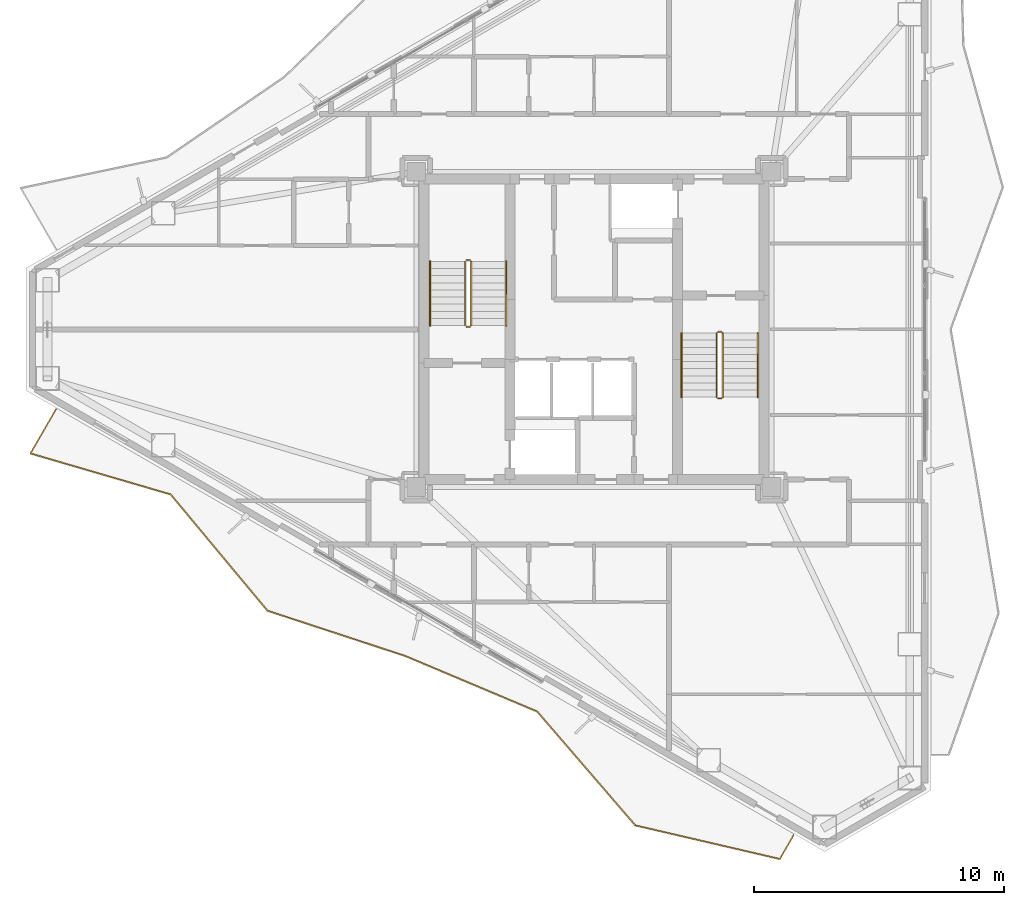
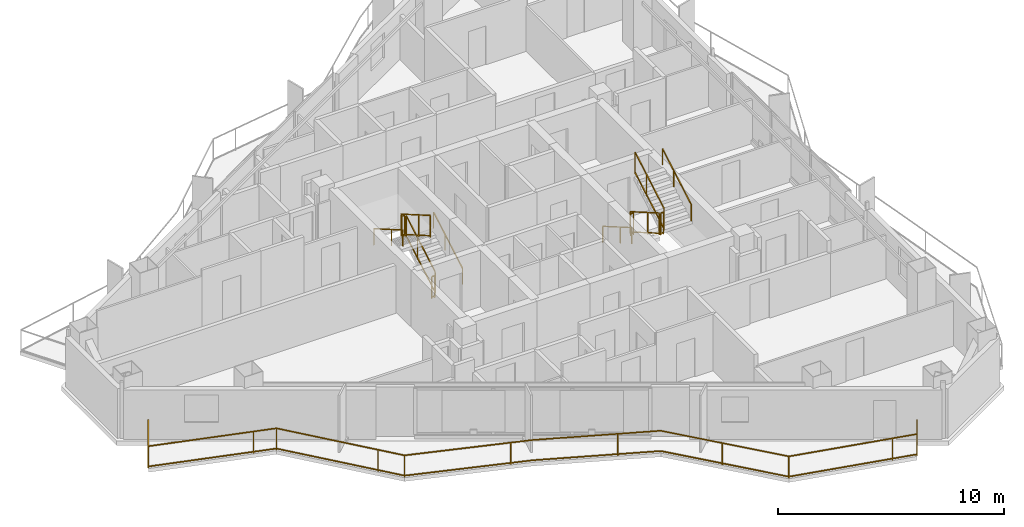
# One storey, part 17 of 18: 13 railings.
"""IFC4 building model written with IfcOpenShell, lengths in metres."""

from ifc_helpers import new_model, si_unit, direction, frame, origin, origin_2d, place, context, subcontext, project, spatial, rectangle, extrude, material, type_object, element, save


model = new_model("IFC4")

# Units and contexts
model_context = context("Model", 3, precision=1e-05, world=origin(), true_north=direction((0.0, 1.0)))
body_context = subcontext(model_context, "Body", "Model", "MODEL_VIEW")
ifc_project = project(units=[si_unit("LENGTHUNIT", "METRE"), si_unit("AREAUNIT", "SQUARE_METRE"), si_unit("VOLUMEUNIT", "CUBIC_METRE"), si_unit("PLANEANGLEUNIT", "RADIAN"), si_unit("MASSUNIT", "GRAM", prefix="KILO")], contexts=[model_context])

# Site, building, storey
site_placement = place(None, origin())
site = spatial("IfcSite", under=ifc_project, at=site_placement, CompositionType="ELEMENT")
building_placement = place(site_placement, origin())
building = spatial("IfcBuilding", under=site, at=building_placement, Name="Mersakhor Tower and Convention Hall", CompositionType="ELEMENT")
storey_placement = place(building_placement, frame((0.0, 0.0, 150.89990234375)))
storey = spatial("IfcBuildingStorey", under=building, at=storey_placement, Name="L42", CompositionType="ELEMENT", Elevation=150.89990234375)

# Railings
ifc_material_1 = material(Name="Powder-coated galvanised steel and laminated glass balustrade", Category="steel")
railing_type_1 = type_object("IfcRailingType", Name="RL-BAL-1200", PredefinedType="BALUSTRADE", material=ifc_material_1)
railing_1_placement = place(storey_placement, frame((7.497802734375, 23.5537109375, 0.0)))
element("IfcRailing", 1, at=railing_1_placement, inside=storey, type_object=railing_type_1, Name="L42 Sinusoidal Balcony Balustrade F3", PredefinedType="BALUSTRADE", context=body_context, shape_type="SweptSolid", body=[
    extrude(rectangle(XDim=0.048095703125, YDim=0.048095703125, at=origin_2d()), frame((0.0, 0.0, 1.17578125), z_axis=(-0.500023678693, -0.866011732453, 0.0), x_axis=(0.866011732453, -0.500023678693, 0.0)), (0.0, 0.0, 1.0), 2.03466796875),
    extrude(rectangle(XDim=0.048095703125, YDim=0.048095703125, at=origin_2d()), frame((0.0, 0.0, 0.080078125), z_axis=(-0.500023678693, -0.866011732453, 0.0), x_axis=(0.866011732453, -0.500023678693, 0.0)), (0.0, 0.0, 1.0), 2.03466796875),
    extrude(rectangle(XDim=0.048095703125, YDim=0.048095703125, at=origin_2d()), frame((-1.017333984375, -1.761962890625, 1.17578125), z_axis=(0.959863187433, -0.28046864604, 0.0), x_axis=(0.28046864604, 0.959863187433, 0.0)), (0.0, 0.0, 1.0), 5.8408203125),
    extrude(rectangle(XDim=0.048095703125, YDim=0.048095703125, at=origin_2d()), frame((-1.017333984375, -1.761962890625, 0.080078125), z_axis=(0.959863187433, -0.28046864604, 0.0), x_axis=(0.28046864604, 0.959863187433, 0.0)), (0.0, 0.0, 1.0), 5.8408203125),
    extrude(rectangle(XDim=0.048095703125, YDim=0.048095703125, at=origin_2d()), frame((4.589111328125, -3.400146484375, 1.17578125), z_axis=(0.639818991746, -0.768525639, 0.0), x_axis=(0.768525639, 0.639818991746, 0.0)), (0.0, 0.0, 1.0), 6.04736328125),
    extrude(rectangle(XDim=0.048095703125, YDim=0.048095703125, at=origin_2d()), frame((4.589111328125, -3.400146484375, 0.080078125), z_axis=(0.639818991746, -0.768525639, 0.0), x_axis=(0.768525639, 0.639818991746, 0.0)), (0.0, 0.0, 1.0), 6.04736328125),
    extrude(rectangle(XDim=0.048095703125, YDim=0.048095703125, at=origin_2d()), frame((8.458251953125, -8.047607421875, 1.17578125), z_axis=(0.950063857998, -0.312055549103, 0.0), x_axis=(0.312055549103, 0.950063857998, 0.0)), (0.0, 0.0, 1.0), 5.79736328125),
    extrude(rectangle(XDim=0.048095703125, YDim=0.048095703125, at=origin_2d()), frame((8.458251953125, -8.047607421875, 0.080078125), z_axis=(0.950063857998, -0.312055549103, 0.0), x_axis=(0.312055549103, 0.950063857998, 0.0)), (0.0, 0.0, 1.0), 5.79736328125),
    extrude(rectangle(XDim=0.048095703125, YDim=0.048095703125, at=origin_2d()), frame((13.966064453125, -9.856689453125, 1.17578125), z_axis=(0.921665102999, -0.387986388827, 0.0), x_axis=(0.387986388827, 0.921665102999, 0.0)), (0.0, 0.0, 1.0), 5.71923828125),
    extrude(rectangle(XDim=0.048095703125, YDim=0.048095703125, at=origin_2d()), frame((13.966064453125, -9.856689453125, 0.080078125), z_axis=(0.921665102999, -0.387986388827, 0.0), x_axis=(0.387986388827, 0.921665102999, 0.0)), (0.0, 0.0, 1.0), 5.71923828125),
    extrude(rectangle(XDim=0.048095703125, YDim=0.048095703125, at=origin_2d()), frame((19.2373046875, -12.07568359375, 1.17578125), z_axis=(0.652826312682, -0.757507627335, 0.0), x_axis=(0.757507627335, 0.652826312682, 0.0)), (0.0, 0.0, 1.0), 6.01025390625),
    extrude(rectangle(XDim=0.048095703125, YDim=0.048095703125, at=origin_2d()), frame((19.2373046875, -12.07568359375, 0.080078125), z_axis=(0.652826312682, -0.757507627335, 0.0), x_axis=(0.757507627335, 0.652826312682, 0.0)), (0.0, 0.0, 1.0), 6.01025390625),
    extrude(rectangle(XDim=0.048095703125, YDim=0.048095703125, at=origin_2d()), frame((23.160888671875, -16.62841796875, 1.17578125), z_axis=(0.974015207491, -0.2264826165, 0.0), x_axis=(0.2264826165, 0.974015207491, 0.0)), (0.0, 0.0, 1.0), 5.930908203125),
    extrude(rectangle(XDim=0.048095703125, YDim=0.048095703125, at=origin_2d()), frame((23.160888671875, -16.62841796875, 0.080078125), z_axis=(0.974015207491, -0.2264826165, 0.0), x_axis=(0.2264826165, 0.974015207491, 0.0)), (0.0, 0.0, 1.0), 5.930908203125),
    extrude(rectangle(XDim=0.048095703125, YDim=0.048095703125, at=origin_2d()), frame((28.937744140625, -17.9716796875, 1.17578125), z_axis=(0.49999903102, 0.866025963225, 0.0), x_axis=(-0.866025963225, 0.49999903102, 0.0)), (0.0, 0.0, 1.0), 1.09521484375),
    extrude(rectangle(XDim=0.048095703125, YDim=0.048095703125, at=origin_2d()), frame((28.937744140625, -17.9716796875, 0.080078125), z_axis=(0.49999903102, 0.866025963225, 0.0), x_axis=(-0.866025963225, 0.49999903102, 0.0)), (0.0, 0.0, 1.0), 1.09521484375),
    extrude(rectangle(XDim=0.0419921875, YDim=0.0419921875, at=origin_2d()), origin(), (0.0, 0.0, 1.0), 1.15185546875),
    extrude(rectangle(XDim=0.0419921875, YDim=0.0419921875, at=origin_2d()), frame((-1.017333984375, -1.761962890625, 0.0)), (0.0, 0.0, 1.0), 1.15185546875),
    extrude(rectangle(XDim=0.0419921875, YDim=0.0419921875, at=origin_2d()), frame((3.590087890625, -3.108154296875, 0.0)), (0.0, 0.0, 1.0), 1.15185546875),
    extrude(rectangle(XDim=0.0419921875, YDim=0.0419921875, at=origin_2d()), frame((4.589111328125, -3.400146484375, 0.0)), (0.0, 0.0, 1.0), 1.15185546875),
    extrude(rectangle(XDim=0.0419921875, YDim=0.0419921875, at=origin_2d()), frame((7.66015625, -7.089111328125, 0.0)), (0.0, 0.0, 1.0), 1.15185546875),
    extrude(rectangle(XDim=0.0419921875, YDim=0.0419921875, at=origin_2d()), frame((8.458251953125, -8.047607421875, 0.0)), (0.0, 0.0, 1.0), 1.15185546875),
    extrude(rectangle(XDim=0.0419921875, YDim=0.0419921875, at=origin_2d()), frame((13.0185546875, -9.54541015625, 0.0)), (0.0, 0.0, 1.0), 1.15185546875),
    extrude(rectangle(XDim=0.0419921875, YDim=0.0419921875, at=origin_2d()), frame((17.470947265625, -11.33203125, 0.0)), (0.0, 0.0, 1.0), 1.15185546875),
    extrude(rectangle(XDim=0.0419921875, YDim=0.0419921875, at=origin_2d()), frame((21.11962890625, -14.260009765625, 0.0)), (0.0, 0.0, 1.0), 1.15185546875),
    extrude(rectangle(XDim=0.0419921875, YDim=0.0419921875, at=origin_2d()), frame((23.160888671875, -16.62841796875, 0.0)), (0.0, 0.0, 1.0), 1.15185546875),
    extrude(rectangle(XDim=0.0419921875, YDim=0.0419921875, at=origin_2d()), frame((27.836181640625, -17.715576171875, 0.0)), (0.0, 0.0, 1.0), 1.15185546875),
    extrude(rectangle(XDim=0.0419921875, YDim=0.0419921875, at=origin_2d()), frame((28.937744140625, -17.9716796875, 0.0)), (0.0, 0.0, 1.0), 1.15185546875),
    extrude(rectangle(XDim=0.0419921875, YDim=0.0419921875, at=origin_2d()), frame((29.4853515625, -17.023193359375, 0.0)), (0.0, 0.0, 1.0), 1.15185546875),
])
ifc_material_2 = material(Name="Brushed stainless steel handrail", Category="steel")
railing_type_2 = type_object("IfcRailingType", Name="RL-HR-900", PredefinedType="HANDRAIL", material=ifc_material_2)
railing_2_placement = place(storey_placement, frame((25.5, 26.89990234375, 0.1650390625)))
element("IfcRailing", 2, at=railing_2_placement, inside=storey, type_object=railing_type_2, Name="L42 ST-1 stair handrail 1", PredefinedType="HANDRAIL", context=body_context, shape_type="SweptSolid", body=[
    extrude(rectangle(XDim=0.048095703125, YDim=0.048095703125, at=origin_2d()), frame((0.0, 0.0, 0.8759765625), z_axis=(0.0, 0.865426285481, 0.501036270542), x_axis=(-1.0, 0.0, 0.0)), (0.0, 0.0, 1.0), 2.964111328125),
    extrude(rectangle(XDim=0.0419921875, YDim=0.0419921875, at=origin_2d()), origin(), (0.0, 0.0, 1.0), 0.851806640625),
    extrude(rectangle(XDim=0.0419921875, YDim=0.0419921875, at=origin_2d()), frame((0.0, 1.557861328125, 0.90185546875)), (0.0, 0.0, 1.0), 0.851806640625),
    extrude(rectangle(XDim=0.0419921875, YDim=0.0419921875, at=origin_2d()), frame((0.0, 2.565185546875, 1.485107421875)), (0.0, 0.0, 1.0), 0.851806640625),
])
railing_3_placement = place(storey_placement, frame((22.449951171875, 29.465087890625, 1.815185546875)))
element("IfcRailing", 3, at=railing_3_placement, inside=storey, type_object=railing_type_2, Name="L42 ST-1 stair handrail 2", PredefinedType="HANDRAIL", context=body_context, shape_type="SweptSolid", body=[
    extrude(rectangle(XDim=0.048095703125, YDim=0.048095703125, at=origin_2d()), frame((0.0, 0.0, 0.8759765625), z_axis=(0.0, -0.865461999751, 0.500974577186), x_axis=(1.0, 0.0, 0.0)), (0.0, 0.0, 1.0), 2.9638671875),
    extrude(rectangle(XDim=0.0419921875, YDim=0.0419921875, at=origin_2d()), origin(), (0.0, 0.0, 1.0), 0.851806640625),
    extrude(rectangle(XDim=0.0419921875, YDim=0.0419921875, at=origin_2d()), frame((0.0, -1.557861328125, 0.90185546875)), (0.0, 0.0, 1.0), 0.851806640625),
    extrude(rectangle(XDim=0.0419921875, YDim=0.0419921875, at=origin_2d()), frame((0.0, -2.565185546875, 1.48486328125)), (0.0, 0.0, 1.0), 0.851806640625),
])
railing_4_placement = place(storey_placement, frame((32.5, 26.60009765625, 0.1650390625)))
element("IfcRailing", 4, at=railing_4_placement, inside=storey, type_object=railing_type_2, Name="L42 ST-2 stair handrail 1", PredefinedType="HANDRAIL", context=body_context, shape_type="SweptSolid", body=[
    extrude(rectangle(XDim=0.048095703125, YDim=0.048095703125, at=origin_2d()), frame((0.0, 0.0, 0.8759765625), z_axis=(0.0, -0.865426285481, 0.501036270542), x_axis=(1.0, 0.0, 0.0)), (0.0, 0.0, 1.0), 2.964111328125),
    extrude(rectangle(XDim=0.0419921875, YDim=0.0419921875, at=origin_2d()), origin(), (0.0, 0.0, 1.0), 0.851806640625),
    extrude(rectangle(XDim=0.0419921875, YDim=0.0419921875, at=origin_2d()), frame((0.0, -1.557861328125, 0.90185546875)), (0.0, 0.0, 1.0), 0.851806640625),
    extrude(rectangle(XDim=0.0419921875, YDim=0.0419921875, at=origin_2d()), frame((0.0, -2.565185546875, 1.485107421875)), (0.0, 0.0, 1.0), 0.851806640625),
])
railing_5_placement = place(storey_placement, frame((35.550048828125, 24.034912109375, 1.815185546875)))
element("IfcRailing", 5, at=railing_5_placement, inside=storey, type_object=railing_type_2, Name="L42 ST-2 stair handrail 2", PredefinedType="HANDRAIL", context=body_context, shape_type="SweptSolid", body=[
    extrude(rectangle(XDim=0.048095703125, YDim=0.048095703125, at=origin_2d()), frame((0.0, 0.0, 0.8759765625), z_axis=(0.0, 0.865461999751, 0.500974577186), x_axis=(-1.0, 0.0, 0.0)), (0.0, 0.0, 1.0), 2.9638671875),
    extrude(rectangle(XDim=0.0419921875, YDim=0.0419921875, at=origin_2d()), origin(), (0.0, 0.0, 1.0), 0.851806640625),
    extrude(rectangle(XDim=0.0419921875, YDim=0.0419921875, at=origin_2d()), frame((0.0, 1.557861328125, 0.90185546875)), (0.0, 0.0, 1.0), 0.851806640625),
    extrude(rectangle(XDim=0.0419921875, YDim=0.0419921875, at=origin_2d()), frame((0.0, 2.565185546875, 1.48486328125)), (0.0, 0.0, 1.0), 0.851806640625),
])
ifc_material_3 = material(Name="Painted steel stair balustrade S355", Category="steel")
railing_type_3 = type_object("IfcRailingType", Name="RL-STG-1200", PredefinedType="BALUSTRADE", material=ifc_material_3)
railing_6_placement = place(storey_placement, frame((24.10009765625, 26.89990234375, 0.1650390625)))
element("IfcRailing", 6, at=railing_6_placement, inside=storey, type_object=railing_type_3, Name="L42 ST-1 stair guard 1", PredefinedType="BALUSTRADE", context=body_context, shape_type="SweptSolid", body=[
    extrude(rectangle(XDim=0.048095703125, YDim=0.048095703125, at=origin_2d()), frame((0.0, 0.0, 1.17578125), z_axis=(0.0, 0.865426285481, 0.501036270542), x_axis=(-1.0, 0.0, 0.0)), (0.0, 0.0, 1.0), 2.964111328125),
    extrude(rectangle(XDim=0.048095703125, YDim=0.048095703125, at=origin_2d()), frame((0.0, 0.0, 0.080078125), z_axis=(0.0, 0.865426285481, 0.501036270542), x_axis=(-1.0, 0.0, 0.0)), (0.0, 0.0, 1.0), 2.964111328125),
    extrude(rectangle(XDim=0.0419921875, YDim=0.0419921875, at=origin_2d()), origin(), (0.0, 0.0, 1.0), 1.15185546875),
    extrude(rectangle(XDim=0.0419921875, YDim=0.0419921875, at=origin_2d()), frame((0.0, 1.557861328125, 0.90185546875)), (0.0, 0.0, 1.0), 1.15185546875),
    extrude(rectangle(XDim=0.0419921875, YDim=0.0419921875, at=origin_2d()), frame((0.0, 2.565185546875, 1.485107421875)), (0.0, 0.0, 1.0), 1.15185546875),
])
railing_7_placement = place(storey_placement, frame((24.050048828125, 29.514892578125, 1.650146484375)))
element("IfcRailing", 7, at=railing_7_placement, inside=storey, type_object=railing_type_3, Name="L42 ST-1 stair guard 2", PredefinedType="BALUSTRADE", context=body_context, shape_type="SweptSolid", body=[
    extrude(rectangle(XDim=0.048095703125, YDim=0.048095703125, at=origin_2d()), frame((0.0, 0.0, 1.17578125), z_axis=(-1.0, 0.0, 0.0), x_axis=(0.0, -1.0, 0.0)), (0.0, 0.0, 1.0), 0.150146484375),
    extrude(rectangle(XDim=0.048095703125, YDim=0.048095703125, at=origin_2d()), frame((0.0, 0.0, 0.080078125), z_axis=(-1.0, 0.0, 0.0), x_axis=(0.0, -1.0, 0.0)), (0.0, 0.0, 1.0), 0.150146484375),
    extrude(rectangle(XDim=0.0419921875, YDim=0.0419921875, at=origin_2d()), origin(), (0.0, 0.0, 1.0), 1.15185546875),
    extrude(rectangle(XDim=0.0419921875, YDim=0.0419921875, at=origin_2d()), frame((-0.150146484375, 0.0, 0.0)), (0.0, 0.0, 1.0), 1.15185546875),
])
railing_8_placement = place(storey_placement, frame((23.85009765625, 29.465087890625, 1.815185546875)))
element("IfcRailing", 8, at=railing_8_placement, inside=storey, type_object=railing_type_3, Name="L42 ST-1 stair guard 3", PredefinedType="BALUSTRADE", context=body_context, shape_type="SweptSolid", body=[
    extrude(rectangle(XDim=0.048095703125, YDim=0.048095703125, at=origin_2d()), frame((0.0, 0.0, 1.17578125), z_axis=(0.0, -0.865461999751, 0.500974577186), x_axis=(1.0, 0.0, 0.0)), (0.0, 0.0, 1.0), 2.9638671875),
    extrude(rectangle(XDim=0.048095703125, YDim=0.048095703125, at=origin_2d()), frame((0.0, 0.0, 0.080078125), z_axis=(0.0, -0.865461999751, 0.500974577186), x_axis=(1.0, 0.0, 0.0)), (0.0, 0.0, 1.0), 2.9638671875),
    extrude(rectangle(XDim=0.0419921875, YDim=0.0419921875, at=origin_2d()), origin(), (0.0, 0.0, 1.0), 1.15185546875),
    extrude(rectangle(XDim=0.0419921875, YDim=0.0419921875, at=origin_2d()), frame((0.0, -1.557861328125, 0.90185546875)), (0.0, 0.0, 1.0), 1.15185546875),
    extrude(rectangle(XDim=0.0419921875, YDim=0.0419921875, at=origin_2d()), frame((0.0, -2.565185546875, 1.48486328125)), (0.0, 0.0, 1.0), 1.15185546875),
])
railing_9_placement = place(storey_placement, frame((24.050048828125, 26.85009765625, 0.0)))
element("IfcRailing", 9, at=railing_9_placement, inside=storey, type_object=railing_type_3, Name="L42 ST-1 stair guard 4", PredefinedType="BALUSTRADE", context=body_context, shape_type="SweptSolid", body=[
    extrude(rectangle(XDim=0.048095703125, YDim=0.048095703125, at=origin_2d()), frame((0.0, 0.0, 1.17578125), z_axis=(-1.0, 0.0, 0.0), x_axis=(0.0, -1.0, 0.0)), (0.0, 0.0, 1.0), 0.150146484375),
    extrude(rectangle(XDim=0.048095703125, YDim=0.048095703125, at=origin_2d()), frame((0.0, 0.0, 0.080078125), z_axis=(-1.0, 0.0, 0.0), x_axis=(0.0, -1.0, 0.0)), (0.0, 0.0, 1.0), 0.150146484375),
    extrude(rectangle(XDim=0.0419921875, YDim=0.0419921875, at=origin_2d()), origin(), (0.0, 0.0, 1.0), 1.15185546875),
    extrude(rectangle(XDim=0.0419921875, YDim=0.0419921875, at=origin_2d()), frame((-0.150146484375, 0.0, 0.0)), (0.0, 0.0, 1.0), 1.15185546875),
])
railing_10_placement = place(storey_placement, frame((33.89990234375, 26.60009765625, 0.1650390625)))
element("IfcRailing", 10, at=railing_10_placement, inside=storey, type_object=railing_type_3, Name="L42 ST-2 stair guard 1", PredefinedType="BALUSTRADE", context=body_context, shape_type="SweptSolid", body=[
    extrude(rectangle(XDim=0.048095703125, YDim=0.048095703125, at=origin_2d()), frame((0.0, 0.0, 1.17578125), z_axis=(0.0, -0.865426285481, 0.501036270542), x_axis=(1.0, 0.0, 0.0)), (0.0, 0.0, 1.0), 2.964111328125),
    extrude(rectangle(XDim=0.048095703125, YDim=0.048095703125, at=origin_2d()), frame((0.0, 0.0, 0.080078125), z_axis=(0.0, -0.865426285481, 0.501036270542), x_axis=(1.0, 0.0, 0.0)), (0.0, 0.0, 1.0), 2.964111328125),
    extrude(rectangle(XDim=0.0419921875, YDim=0.0419921875, at=origin_2d()), origin(), (0.0, 0.0, 1.0), 1.15185546875),
    extrude(rectangle(XDim=0.0419921875, YDim=0.0419921875, at=origin_2d()), frame((0.0, -1.557861328125, 0.90185546875)), (0.0, 0.0, 1.0), 1.15185546875),
    extrude(rectangle(XDim=0.0419921875, YDim=0.0419921875, at=origin_2d()), frame((0.0, -2.565185546875, 1.485107421875)), (0.0, 0.0, 1.0), 1.15185546875),
])
railing_11_placement = place(storey_placement, frame((33.949951171875, 23.985107421875, 1.650146484375)))
element("IfcRailing", 11, at=railing_11_placement, inside=storey, type_object=railing_type_3, Name="L42 ST-2 stair guard 2", PredefinedType="BALUSTRADE", context=body_context, shape_type="SweptSolid", body=[
    extrude(rectangle(XDim=0.048095703125, YDim=0.048095703125, at=origin_2d()), frame((0.0, 0.0, 1.17578125), z_axis=(1.0, 0.0, 0.0), x_axis=(0.0, 1.0, 0.0)), (0.0, 0.0, 1.0), 0.150146484375),
    extrude(rectangle(XDim=0.048095703125, YDim=0.048095703125, at=origin_2d()), frame((0.0, 0.0, 0.080078125), z_axis=(1.0, 0.0, 0.0), x_axis=(0.0, 1.0, 0.0)), (0.0, 0.0, 1.0), 0.150146484375),
    extrude(rectangle(XDim=0.0419921875, YDim=0.0419921875, at=origin_2d()), origin(), (0.0, 0.0, 1.0), 1.15185546875),
    extrude(rectangle(XDim=0.0419921875, YDim=0.0419921875, at=origin_2d()), frame((0.150146484375, 0.0, 0.0)), (0.0, 0.0, 1.0), 1.15185546875),
])
railing_12_placement = place(storey_placement, frame((34.14990234375, 24.034912109375, 1.815185546875)))
element("IfcRailing", 12, at=railing_12_placement, inside=storey, type_object=railing_type_3, Name="L42 ST-2 stair guard 3", PredefinedType="BALUSTRADE", context=body_context, shape_type="SweptSolid", body=[
    extrude(rectangle(XDim=0.048095703125, YDim=0.048095703125, at=origin_2d()), frame((0.0, 0.0, 1.17578125), z_axis=(0.0, 0.865461999751, 0.500974577186), x_axis=(-1.0, 0.0, 0.0)), (0.0, 0.0, 1.0), 2.9638671875),
    extrude(rectangle(XDim=0.048095703125, YDim=0.048095703125, at=origin_2d()), frame((0.0, 0.0, 0.080078125), z_axis=(0.0, 0.865461999751, 0.500974577186), x_axis=(-1.0, 0.0, 0.0)), (0.0, 0.0, 1.0), 2.9638671875),
    extrude(rectangle(XDim=0.0419921875, YDim=0.0419921875, at=origin_2d()), origin(), (0.0, 0.0, 1.0), 1.15185546875),
    extrude(rectangle(XDim=0.0419921875, YDim=0.0419921875, at=origin_2d()), frame((0.0, 1.557861328125, 0.90185546875)), (0.0, 0.0, 1.0), 1.15185546875),
    extrude(rectangle(XDim=0.0419921875, YDim=0.0419921875, at=origin_2d()), frame((0.0, 2.565185546875, 1.48486328125)), (0.0, 0.0, 1.0), 1.15185546875),
])
railing_13_placement = place(storey_placement, frame((33.949951171875, 26.64990234375, 0.0)))
element("IfcRailing", 13, at=railing_13_placement, inside=storey, type_object=railing_type_3, Name="L42 ST-2 stair guard 4", PredefinedType="BALUSTRADE", context=body_context, shape_type="SweptSolid", body=[
    extrude(rectangle(XDim=0.048095703125, YDim=0.048095703125, at=origin_2d()), frame((0.0, 0.0, 1.17578125), z_axis=(1.0, 0.0, 0.0), x_axis=(0.0, 1.0, 0.0)), (0.0, 0.0, 1.0), 0.150146484375),
    extrude(rectangle(XDim=0.048095703125, YDim=0.048095703125, at=origin_2d()), frame((0.0, 0.0, 0.080078125), z_axis=(1.0, 0.0, 0.0), x_axis=(0.0, 1.0, 0.0)), (0.0, 0.0, 1.0), 0.150146484375),
    extrude(rectangle(XDim=0.0419921875, YDim=0.0419921875, at=origin_2d()), origin(), (0.0, 0.0, 1.0), 1.15185546875),
    extrude(rectangle(XDim=0.0419921875, YDim=0.0419921875, at=origin_2d()), frame((0.150146484375, 0.0, 0.0)), (0.0, 0.0, 1.0), 1.15185546875),
])

save(model, "model.ifc")
